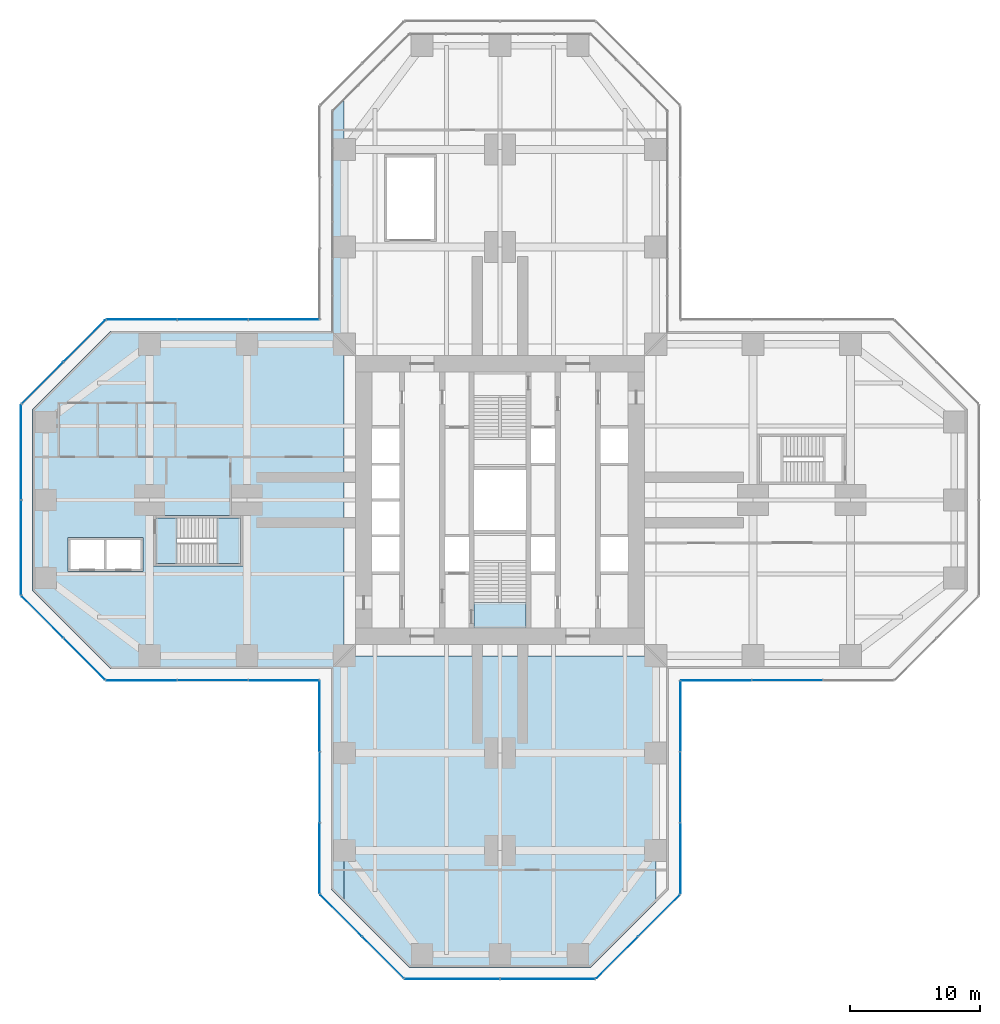
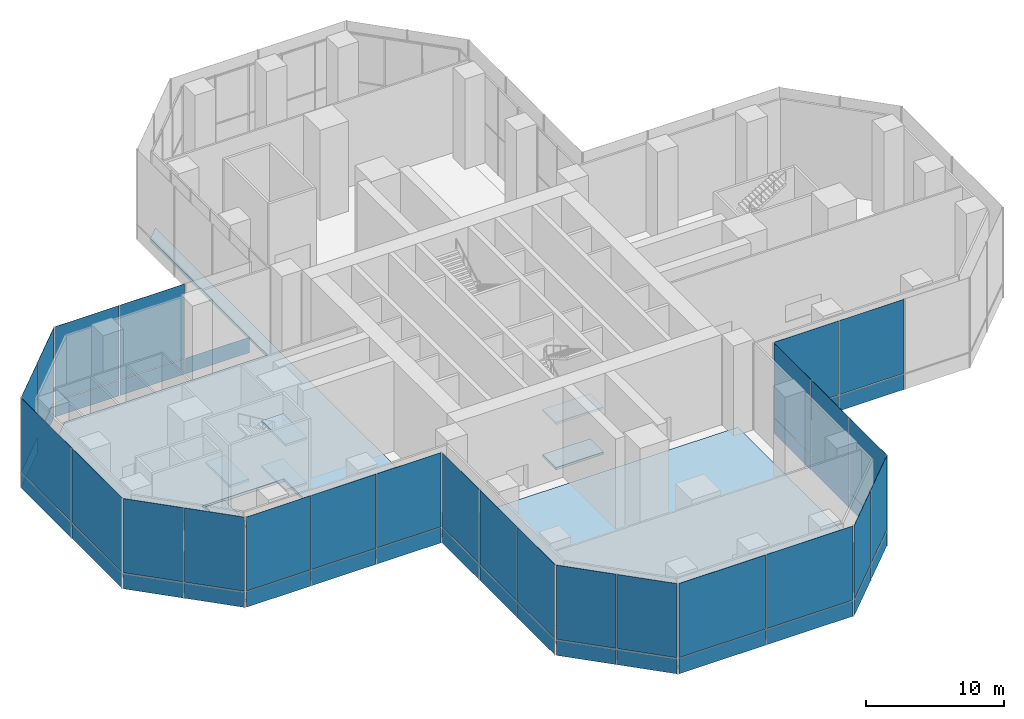
# One storey, part 14 of 25: 51 plates, 8 slabs, 13 elements without a shape of their own.
"""IFC4 building model written with IfcOpenShell, lengths in metres."""

import ifcopenshell
import ifcopenshell.guid

model = None  # the IFC model being written
_history = None  # IfcOwnerHistory: only IFC2X3 demands one
_inside = {}  # id of a spatial element -> (the spatial element, [elements in it])
_under = {}  # id of a project, library or spatial element -> (it, [spatial elements below it])
_declared = {}  # id of a project -> (the project, [libraries it declares])
_typed = {}  # id of a type object -> (the type object, [elements of that type])
_made_of = {}  # id of a material, layer set ... -> (it, [elements and type objects made of it])


def new_model(schema):
    """Start an empty IFC model of exactly this schema.

    Asked for "IFC4X3", IfcOpenShell would pick the latest addendum, in which some entities
    have other attributes; the version numbers below select the first issue.
    IFC2X3 requires an IfcOwnerHistory on every rooted entity: one is made here for all.
    """
    global model, _history
    if schema == "IFC4X3":
        model = ifcopenshell.file(schema_version=(4, 3, 0, 0))
    else:
        model = ifcopenshell.file(schema=schema)
    _inside.clear()
    _under.clear()
    _declared.clear()
    _typed.clear()
    _made_of.clear()
    _history = None
    if model.schema == "IFC2X3":
        org = make("IfcOrganization", Name="unknown")
        user = make(
            "IfcPersonAndOrganization",
            ThePerson=make("IfcPerson", FamilyName="unknown"),
            TheOrganization=org,
        )
        app = make(
            "IfcApplication",
            ApplicationDeveloper=org,
            Version="unknown",
            ApplicationFullName="unknown",
            ApplicationIdentifier="unknown",
        )
        _history = make(
            "IfcOwnerHistory",
            OwningUser=user,
            OwningApplication=app,
            ChangeAction="ADDED",
            CreationDate=0,
        )
    return model


def make(cls, **values):
    """One entity of the class cls with the attributes given. An attribute that is None is left unset."""
    return model.create_entity(
        cls, **{name: value for name, value in values.items() if value is not None}
    )


def rooted(cls, **values):
    """An entity with a GlobalId (a new one), such as an element, a storey or a relation."""
    return make(cls, GlobalId=ifcopenshell.guid.new(), OwnerHistory=_history, **values)


def si_unit(unit_type, name, prefix=None):
    """IfcSIUnit, for example si_unit("LENGTHUNIT", "METRE", prefix="MILLI")."""
    return make("IfcSIUnit", UnitType=unit_type, Prefix=prefix, Name=name)


def assignment(units):
    """IfcUnitAssignment: the units of a project."""
    return None if units is None else make("IfcUnitAssignment", Units=units)


def point(xyz):
    """IfcCartesianPoint."""
    return None if xyz is None else make("IfcCartesianPoint", Coordinates=xyz)


def direction(xyz):
    """IfcDirection."""
    return None if xyz is None else make("IfcDirection", DirectionRatios=xyz)


def frame(location, z_axis=None, x_axis=None):
    """IfcAxis2Placement3D, a coordinate frame: its origin and axes. An axis left out is left unset."""
    return make(
        "IfcAxis2Placement3D",
        Location=point(location),
        Axis=direction(z_axis),
        RefDirection=direction(x_axis),
    )


def frame_2d(location, x_axis=None):
    """IfcAxis2Placement2D, a coordinate frame in the plane: its origin and x axis."""
    return make(
        "IfcAxis2Placement2D", Location=point(location), RefDirection=direction(x_axis)
    )


def origin():
    """The frame at (0, 0, 0) with its axes left unset."""
    return frame((0.0, 0.0, 0.0))


def origin_2d():
    """The frame at (0, 0) in the plane with its x axis left unset."""
    return frame_2d((0.0, 0.0))


def place(relative_to, where):
    """IfcLocalPlacement: puts the frame where relative to a parent placement (None: the world)."""
    return make(
        "IfcLocalPlacement", PlacementRelTo=relative_to, RelativePlacement=where
    )


def context(
    kind, dimensions, precision=None, world=None, true_north=None, identifier=None
):
    """IfcGeometricRepresentationContext, for example the 3D "Model" context."""
    return make(
        "IfcGeometricRepresentationContext",
        ContextIdentifier=identifier,
        ContextType=kind,
        CoordinateSpaceDimension=dimensions,
        Precision=precision,
        WorldCoordinateSystem=world,
        TrueNorth=true_north,
    )


def subcontext(parent, identifier, kind, view, scale=None):
    """IfcGeometricRepresentationSubContext, for example "Body" below "Model"."""
    return make(
        "IfcGeometricRepresentationSubContext",
        ContextIdentifier=identifier,
        ContextType=kind,
        ParentContext=parent,
        TargetScale=scale,
        TargetView=view,
    )


def project(units=None, contexts=None):
    """IfcProject with its units and contexts."""
    return rooted(
        "IfcProject",
        Name="project",
        RepresentationContexts=contexts,
        UnitsInContext=assignment(units),
    )


def spatial(cls, under=None, at=None, **own):
    """A site, building, storey or space (cls), placed at a placement, below another one or the project."""
    s = rooted(cls, ObjectPlacement=at, **own)
    if under is not None:
        _under.setdefault(under.id(), (under, []))[1].append(s)
    return s


def polyline(points):
    """IfcPolyline through the points."""
    return make("IfcPolyline", Points=[point(p) for p in points])


def profile(cls, at=None, kind="AREA", **sizes):
    """A parametric profile (cls). Its sizes go by their IFC names, for example OverallWidth=200.0."""
    return make(cls, ProfileType=kind, Position=at, **sizes)


def rectangle(**sizes):
    """IfcRectangleProfileDef."""
    return profile("IfcRectangleProfileDef", **sizes)


def outline(outer, holes=None, kind="AREA"):
    """IfcArbitraryClosedProfileDef: a profile drawn as a closed curve; with holes, ...WithVoids."""
    if holes is None:
        return make("IfcArbitraryClosedProfileDef", ProfileType=kind, OuterCurve=outer)
    return make(
        "IfcArbitraryProfileDefWithVoids",
        ProfileType=kind,
        OuterCurve=outer,
        InnerCurves=holes,
    )


def extrude(swept, where, along, depth):
    """IfcExtrudedAreaSolid: the profile swept, set in the frame where, extruded along a direction by depth."""
    return make(
        "IfcExtrudedAreaSolid",
        SweptArea=swept,
        Position=where,
        ExtrudedDirection=direction(along),
        Depth=depth,
    )


def shape(context_of_items, identifier, shape_type, items):
    """IfcShapeRepresentation: the items that make up one representation, for example the "Body"."""
    return make(
        "IfcShapeRepresentation",
        ContextOfItems=context_of_items,
        RepresentationIdentifier=identifier,
        RepresentationType=shape_type,
        Items=items,
    )


def material(Name=None, Category=None):
    """IfcMaterial."""
    return make("IfcMaterial", Name=Name, Category=Category)


def layer(
    of_material, thickness, ventilated=None, Name=None, Category=None, Priority=None
):
    """IfcMaterialLayer: one layer of a wall or slab, of a material (None: an air gap)."""
    return make(
        "IfcMaterialLayer",
        Material=of_material,
        LayerThickness=thickness,
        IsVentilated=ventilated,
        Name=Name,
        Category=Category,
        Priority=Priority,
    )


def layer_set(layers, Name=None):
    """IfcMaterialLayerSet."""
    return make("IfcMaterialLayerSet", MaterialLayers=layers, LayerSetName=Name)


def made_of(thing, what):
    """Note that an element or type object is made of a material, layer set ...; save() writes the relation."""
    if what is not None:
        _made_of.setdefault(what.id(), (what, []))[1].append(thing)
    return thing


def type_object(cls, material=None, **own):
    """A type object (cls), such as IfcWallType, which elements share."""
    return made_of(rooted(cls, **own), material)


def element(
    cls,
    number,
    at=None,
    inside=None,
    cuts=None,
    type_object=None,
    material=None,
    context=None,
    identifier="Body",
    shape_type=None,
    held_by="IfcProductDefinitionShape",
    body=None,
    shapes=None,
    **own,
):
    """One element of the class cls, such as IfcWall. Its Tag is "e" and its number.

    at: its placement. inside: the storey or other place that contains it. cuts: it is an
    opening in that element (IfcRelVoidsElement). A single representation is given by context,
    identifier, shape_type and body (its items); several are given by shapes. held_by: the class
    of the entity that holds the representations. save() writes the other relations.
    """
    e = rooted(cls, Tag="e%d" % number, ObjectPlacement=at, **own)
    if body is not None:
        shapes = [shape(context, identifier, shape_type, body)]
    if shapes is not None:
        e.Representation = make(held_by, Representations=shapes)
    if inside is not None:
        _inside.setdefault(inside.id(), (inside, []))[1].append(e)
    if cuts is not None:
        rooted(
            "IfcRelVoidsElement", RelatingBuildingElement=cuts, RelatedOpeningElement=e
        )
    if type_object is not None:
        _typed.setdefault(type_object.id(), (type_object, []))[1].append(e)
    return made_of(e, material)


def aggregate(whole, parts):
    """IfcRelAggregates: a whole, such as a stair, and the parts it consists of."""
    return rooted("IfcRelAggregates", RelatingObject=whole, RelatedObjects=parts)


def save(model, path):
    """Write the relations noted so far, then the file.

    IfcRelAggregates (storeys below a building ...), IfcRelContainedInSpatialStructure (elements
    in a storey), IfcRelDefinesByType, IfcRelAssociatesMaterial and IfcRelDeclares: one each for
    every whole, place, type object, material and project.
    """
    for whole, parts in _under.values():
        aggregate(whole, parts)
    for where, things in _inside.values():
        rooted(
            "IfcRelContainedInSpatialStructure",
            RelatedElements=things,
            RelatingStructure=where,
        )
    for kind, things in _typed.values():
        rooted("IfcRelDefinesByType", RelatedObjects=things, RelatingType=kind)
    for what, things in _made_of.values():
        rooted("IfcRelAssociatesMaterial", RelatedObjects=things, RelatingMaterial=what)
    for by, libraries in _declared.values():
        rooted("IfcRelDeclares", RelatingContext=by, RelatedDefinitions=libraries)
    model.write(path)


model = new_model("IFC4")

# Units and contexts
model_context = context("Model", 3, precision=1e-05, world=origin(), true_north=direction((0.0, 1.0)))
body_context = subcontext(model_context, "Body", "Model", "MODEL_VIEW")
ifc_project = project(units=[si_unit("LENGTHUNIT", "METRE"), si_unit("AREAUNIT", "SQUARE_METRE"), si_unit("VOLUMEUNIT", "CUBIC_METRE"), si_unit("PLANEANGLEUNIT", "RADIAN"), si_unit("MASSUNIT", "GRAM", prefix="KILO")], contexts=[model_context])

# Site, building, storey
site_placement = place(None, origin())
site = spatial("IfcSite", under=ifc_project, at=site_placement, CompositionType="ELEMENT")
building_placement = place(site_placement, origin())
building = spatial("IfcBuilding", under=site, at=building_placement, Name="Mizan Broadcast Tower", CompositionType="ELEMENT")
storey_placement = place(building_placement, frame((0.0, 0.0, 15.0)))
storey = spatial("IfcBuildingStorey", under=building, at=storey_placement, Name="L02", CompositionType="ELEMENT", Elevation=15.0)

# Curtain wall, plates
ifc_material_1 = material(Name="Aluminium framed glazing", Category="aluminium")
curtain_wall_type = type_object("IfcCurtainWallType", Name="OUTER SKIN", PredefinedType="USERDEFINED", material=ifc_material_1)
curtain_wall_1_placement = place(storey_placement, origin())
curtain_wall_1 = element("IfcCurtainWall", 1, at=curtain_wall_1_placement, inside=storey, type_object=curtain_wall_type, Name="Outer skin L02 E side", ObjectType="OUTER SKIN", PredefinedType="USERDEFINED")
ifc_material_2 = material(Name="Laminated clear glass", Category="glass")
ifc_layer_1 = layer(ifc_material_2, 0.02001953125)
ifc_layer_set_1 = layer_set([ifc_layer_1], Name="Laminated clear glass")
plate_type_1 = type_object("IfcPlateType", Name="OUTER SKIN CLEAR GLASS", PredefinedType="CURTAIN_PANEL", material=ifc_layer_set_1)
plate_1_placement = place(storey_placement, frame((16.66552734375, -13.89990234375, 0.0), z_axis=(0.0, 0.0, 1.0), x_axis=(1.0, 0.0, 0.0)))
plate_1 = element("IfcPlate", 2, at=plate_1_placement, type_object=plate_type_1, Name="Outer skin L02 E side panel 1.1", PredefinedType="CURTAIN_PANEL", context=body_context, shape_type="SweptSolid", body=[
    extrude(rectangle(XDim=5.370849609375, YDim=0.02001953125, at=origin_2d()), origin(), (0.0, 0.0, 1.0), 1.3701171875),
])
plate_2_placement = place(storey_placement, frame((16.66552734375, -13.89990234375, 1.43017578125), z_axis=(0.0, 0.0, 1.0), x_axis=(1.0, 0.0, 0.0)))
plate_2 = element("IfcPlate", 3, at=plate_2_placement, type_object=plate_type_1, Name="Outer skin L02 E side panel 1.2", PredefinedType="CURTAIN_PANEL", context=body_context, shape_type="SweptSolid", body=[
    extrude(rectangle(XDim=5.370849609375, YDim=0.02001953125, at=origin_2d()), origin(), (0.0, 0.0, 1.0), 6.570068359375),
])

curtain_wall_2_placement = place(storey_placement, origin())
curtain_wall_2 = element("IfcCurtainWall", 4, at=curtain_wall_2_placement, inside=storey, type_object=curtain_wall_type, Name="Outer skin L02 W side", ObjectType="OUTER SKIN", PredefinedType="USERDEFINED")
plate_3_placement = place(storey_placement, frame((-16.66552734375, 13.89990234375, 0.0), z_axis=(0.0, 0.0, 1.0), x_axis=(-1.0, 0.0, 0.0)))
plate_3 = element("IfcPlate", 5, at=plate_3_placement, type_object=plate_type_1, Name="Outer skin L02 W side panel 1.1", PredefinedType="CURTAIN_PANEL", context=body_context, shape_type="SweptSolid", body=[
    extrude(rectangle(XDim=5.370849609375, YDim=0.02001953125, at=origin_2d()), origin(), (0.0, 0.0, 1.0), 1.3701171875),
])
plate_4_placement = place(storey_placement, frame((-22.136474609375, 13.89990234375, 0.0), z_axis=(0.0, 0.0, 1.0), x_axis=(-1.0, 0.0, 0.0)))
plate_4 = element("IfcPlate", 6, at=plate_4_placement, type_object=plate_type_1, Name="Outer skin L02 W side panel 2.1", PredefinedType="CURTAIN_PANEL", context=body_context, shape_type="SweptSolid", body=[
    extrude(rectangle(XDim=5.410888671875, YDim=0.02001953125, at=origin_2d()), origin(), (0.0, 0.0, 1.0), 1.3701171875),
])
plate_5_placement = place(storey_placement, frame((-22.136474609375, 13.89990234375, 1.43017578125), z_axis=(0.0, 0.0, 1.0), x_axis=(-1.0, 0.0, 0.0)))
plate_5 = element("IfcPlate", 7, at=plate_5_placement, type_object=plate_type_1, Name="Outer skin L02 W side panel 2.2", PredefinedType="CURTAIN_PANEL", context=body_context, shape_type="SweptSolid", body=[
    extrude(rectangle(XDim=5.410888671875, YDim=0.02001953125, at=origin_2d()), origin(), (0.0, 0.0, 1.0), 6.570068359375),
])
plate_6_placement = place(storey_placement, frame((-27.607421875, 13.89990234375, 0.0), z_axis=(0.0, 0.0, 1.0), x_axis=(-1.0, 0.0, 0.0)))
plate_6 = element("IfcPlate", 8, at=plate_6_placement, type_object=plate_type_1, Name="Outer skin L02 W side panel 3.1", PredefinedType="CURTAIN_PANEL", context=body_context, shape_type="SweptSolid", body=[
    extrude(rectangle(XDim=5.370849609375, YDim=0.02001953125, at=origin_2d()), origin(), (0.0, 0.0, 1.0), 1.3701171875),
])
plate_7_placement = place(storey_placement, frame((-27.607421875, 13.89990234375, 1.43017578125), z_axis=(0.0, 0.0, 1.0), x_axis=(-1.0, 0.0, 0.0)))
plate_7 = element("IfcPlate", 9, at=plate_7_placement, type_object=plate_type_1, Name="Outer skin L02 W side panel 3.2", PredefinedType="CURTAIN_PANEL", context=body_context, shape_type="SweptSolid", body=[
    extrude(rectangle(XDim=5.370849609375, YDim=0.02001953125, at=origin_2d()), origin(), (0.0, 0.0, 1.0), 6.570068359375),
])
aggregate(curtain_wall_2, [plate_3, plate_4, plate_5, plate_6, plate_7])

curtain_wall_3_placement = place(storey_placement, origin())
curtain_wall_3 = element("IfcCurtainWall", 10, at=curtain_wall_3_placement, inside=storey, type_object=curtain_wall_type, Name="Outer skin L02 W chamfer", ObjectType="OUTER SKIN", PredefinedType="USERDEFINED")
plate_8_placement = place(storey_placement, frame((-32.018798828125, 12.254150390625, 0.0), z_axis=(0.0, 0.0, 1.0), x_axis=(-0.707106781187, -0.707106781187, 0.0)))
plate_8 = element("IfcPlate", 11, at=plate_8_placement, type_object=plate_type_1, Name="Outer skin L02 W chamfer panel 1.1", PredefinedType="CURTAIN_PANEL", context=body_context, shape_type="SweptSolid", body=[
    extrude(rectangle(XDim=4.495361328125, YDim=0.02001953125, at=origin_2d()), origin(), (0.0, 0.0, 1.0), 1.3701171875),
])
plate_9_placement = place(storey_placement, frame((-32.018798828125, 12.254150390625, 1.43017578125), z_axis=(0.0, 0.0, 1.0), x_axis=(-0.707106781187, -0.707106781187, 0.0)))
plate_9 = element("IfcPlate", 12, at=plate_9_placement, type_object=plate_type_1, Name="Outer skin L02 W chamfer panel 1.2", PredefinedType="CURTAIN_PANEL", context=body_context, shape_type="SweptSolid", body=[
    extrude(rectangle(XDim=4.495361328125, YDim=0.02001953125, at=origin_2d()), origin(), (0.0, 0.0, 1.0), 6.570068359375),
])

curtain_wall_4_placement = place(storey_placement, origin())
curtain_wall_4 = element("IfcCurtainWall", 13, at=curtain_wall_4_placement, inside=storey, type_object=curtain_wall_type, Name="Outer skin L02 W end", ObjectType="OUTER SKIN", PredefinedType="USERDEFINED")
plate_10_placement = place(storey_placement, frame((-36.89990234375, 3.66650390625, 0.0), z_axis=(0.0, 0.0, 1.0), x_axis=(0.0, -1.0, 0.0)))
plate_10 = element("IfcPlate", 14, at=plate_10_placement, type_object=plate_type_1, Name="Outer skin L02 W end panel 1.1", PredefinedType="CURTAIN_PANEL", context=body_context, shape_type="SweptSolid", body=[
    extrude(rectangle(XDim=7.252685546875, YDim=0.02001953125, at=origin_2d()), origin(), (0.0, 0.0, 1.0), 1.3701171875),
])
plate_11_placement = place(storey_placement, frame((-36.89990234375, 3.66650390625, 1.43017578125), z_axis=(0.0, 0.0, 1.0), x_axis=(0.0, -1.0, 0.0)))
plate_11 = element("IfcPlate", 15, at=plate_11_placement, type_object=plate_type_1, Name="Outer skin L02 W end panel 1.2", PredefinedType="CURTAIN_PANEL", context=body_context, shape_type="SweptSolid", body=[
    extrude(rectangle(XDim=7.252685546875, YDim=0.02001953125, at=origin_2d()), origin(), (0.0, 0.0, 1.0), 6.570068359375),
])

curtain_wall_5_placement = place(storey_placement, origin())
curtain_wall_5 = element("IfcCurtainWall", 16, at=curtain_wall_5_placement, inside=storey, type_object=curtain_wall_type, Name="Outer skin L02 W chamfer", ObjectType="OUTER SKIN", PredefinedType="USERDEFINED")
plate_12_placement = place(storey_placement, frame((-35.254150390625, -9.018798828125, 0.0), z_axis=(0.0, 0.0, 1.0), x_axis=(0.707106781187, -0.707106781187, 0.0)))
plate_12 = element("IfcPlate", 17, at=plate_12_placement, type_object=plate_type_1, Name="Outer skin L02 W chamfer panel 1.1", PredefinedType="CURTAIN_PANEL", context=body_context, shape_type="SweptSolid", body=[
    extrude(rectangle(XDim=4.495361328125, YDim=0.02001953125, at=origin_2d()), origin(), (0.0, 0.0, 1.0), 1.3701171875),
])
plate_13_placement = place(storey_placement, frame((-35.254150390625, -9.018798828125, 1.43017578125), z_axis=(0.0, 0.0, 1.0), x_axis=(0.707106781187, -0.707106781187, 0.0)))
plate_13 = element("IfcPlate", 18, at=plate_13_placement, type_object=plate_type_1, Name="Outer skin L02 W chamfer panel 1.2", PredefinedType="CURTAIN_PANEL", context=body_context, shape_type="SweptSolid", body=[
    extrude(rectangle(XDim=4.495361328125, YDim=0.02001953125, at=origin_2d()), origin(), (0.0, 0.0, 1.0), 6.570068359375),
])

curtain_wall_6_placement = place(storey_placement, origin())
curtain_wall_6 = element("IfcCurtainWall", 19, at=curtain_wall_6_placement, inside=storey, type_object=curtain_wall_type, Name="Outer skin L02 W side", ObjectType="OUTER SKIN", PredefinedType="USERDEFINED")
plate_14_placement = place(storey_placement, frame((-27.607421875, -13.89990234375, 0.0), z_axis=(0.0, 0.0, 1.0), x_axis=(1.0, 0.0, 0.0)))
plate_14 = element("IfcPlate", 20, at=plate_14_placement, type_object=plate_type_1, Name="Outer skin L02 W side panel 1.1", PredefinedType="CURTAIN_PANEL", context=body_context, shape_type="SweptSolid", body=[
    extrude(rectangle(XDim=5.370849609375, YDim=0.02001953125, at=origin_2d()), origin(), (0.0, 0.0, 1.0), 1.3701171875),
])
plate_15_placement = place(storey_placement, frame((-27.607421875, -13.89990234375, 1.43017578125), z_axis=(0.0, 0.0, 1.0), x_axis=(1.0, 0.0, 0.0)))
plate_15 = element("IfcPlate", 21, at=plate_15_placement, type_object=plate_type_1, Name="Outer skin L02 W side panel 1.2", PredefinedType="CURTAIN_PANEL", context=body_context, shape_type="SweptSolid", body=[
    extrude(rectangle(XDim=5.370849609375, YDim=0.02001953125, at=origin_2d()), origin(), (0.0, 0.0, 1.0), 6.570068359375),
])
plate_16_placement = place(storey_placement, frame((-16.66552734375, -13.89990234375, 0.0), z_axis=(0.0, 0.0, 1.0), x_axis=(1.0, 0.0, 0.0)))
plate_16 = element("IfcPlate", 22, at=plate_16_placement, type_object=plate_type_1, Name="Outer skin L02 W side panel 3.1", PredefinedType="CURTAIN_PANEL", context=body_context, shape_type="SweptSolid", body=[
    extrude(rectangle(XDim=5.370849609375, YDim=0.02001953125, at=origin_2d()), origin(), (0.0, 0.0, 1.0), 1.3701171875),
])
plate_17_placement = place(storey_placement, frame((-16.66552734375, -13.89990234375, 1.43017578125), z_axis=(0.0, 0.0, 1.0), x_axis=(1.0, 0.0, 0.0)))
plate_17 = element("IfcPlate", 23, at=plate_17_placement, type_object=plate_type_1, Name="Outer skin L02 W side panel 3.2", PredefinedType="CURTAIN_PANEL", context=body_context, shape_type="SweptSolid", body=[
    extrude(rectangle(XDim=5.370849609375, YDim=0.02001953125, at=origin_2d()), origin(), (0.0, 0.0, 1.0), 6.570068359375),
])

curtain_wall_7_placement = place(storey_placement, origin())
curtain_wall_7 = element("IfcCurtainWall", 24, at=curtain_wall_7_placement, inside=storey, type_object=curtain_wall_type, Name="Outer skin L02 S side", ObjectType="OUTER SKIN", PredefinedType="USERDEFINED")
plate_18_placement = place(storey_placement, frame((-13.89990234375, -16.66552734375, 0.0), z_axis=(0.0, 0.0, 1.0), x_axis=(0.0, -1.0, 0.0)))
plate_18 = element("IfcPlate", 25, at=plate_18_placement, type_object=plate_type_1, Name="Outer skin L02 S side panel 1.1", PredefinedType="CURTAIN_PANEL", context=body_context, shape_type="SweptSolid", body=[
    extrude(rectangle(XDim=5.370849609375, YDim=0.02001953125, at=origin_2d()), origin(), (0.0, 0.0, 1.0), 1.3701171875),
])
plate_19_placement = place(storey_placement, frame((-13.89990234375, -16.66552734375, 1.43017578125), z_axis=(0.0, 0.0, 1.0), x_axis=(0.0, -1.0, 0.0)))
plate_19 = element("IfcPlate", 26, at=plate_19_placement, type_object=plate_type_1, Name="Outer skin L02 S side panel 1.2", PredefinedType="CURTAIN_PANEL", context=body_context, shape_type="SweptSolid", body=[
    extrude(rectangle(XDim=5.370849609375, YDim=0.02001953125, at=origin_2d()), origin(), (0.0, 0.0, 1.0), 6.570068359375),
])
plate_20_placement = place(storey_placement, frame((-13.89990234375, -27.607421875, 0.0), z_axis=(0.0, 0.0, 1.0), x_axis=(0.0, -1.0, 0.0)))
plate_20 = element("IfcPlate", 27, at=plate_20_placement, type_object=plate_type_1, Name="Outer skin L02 S side panel 3.1", PredefinedType="CURTAIN_PANEL", context=body_context, shape_type="SweptSolid", body=[
    extrude(rectangle(XDim=5.370849609375, YDim=0.02001953125, at=origin_2d()), origin(), (0.0, 0.0, 1.0), 1.3701171875),
])
plate_21_placement = place(storey_placement, frame((-13.89990234375, -27.607421875, 1.43017578125), z_axis=(0.0, 0.0, 1.0), x_axis=(0.0, -1.0, 0.0)))
plate_21 = element("IfcPlate", 28, at=plate_21_placement, type_object=plate_type_1, Name="Outer skin L02 S side panel 3.2", PredefinedType="CURTAIN_PANEL", context=body_context, shape_type="SweptSolid", body=[
    extrude(rectangle(XDim=5.370849609375, YDim=0.02001953125, at=origin_2d()), origin(), (0.0, 0.0, 1.0), 6.570068359375),
])

curtain_wall_8_placement = place(storey_placement, origin())
curtain_wall_8 = element("IfcCurtainWall", 29, at=curtain_wall_8_placement, inside=storey, type_object=curtain_wall_type, Name="Outer skin L02 S chamfer", ObjectType="OUTER SKIN", PredefinedType="USERDEFINED")
plate_22_placement = place(storey_placement, frame((-12.254150390625, -32.018798828125, 0.0), z_axis=(0.0, 0.0, 1.0), x_axis=(0.707106781187, -0.707106781187, 0.0)))
plate_22 = element("IfcPlate", 30, at=plate_22_placement, type_object=plate_type_1, Name="Outer skin L02 S chamfer panel 1.1", PredefinedType="CURTAIN_PANEL", context=body_context, shape_type="SweptSolid", body=[
    extrude(rectangle(XDim=4.495361328125, YDim=0.02001953125, at=origin_2d()), origin(), (0.0, 0.0, 1.0), 1.3701171875),
])
plate_23_placement = place(storey_placement, frame((-12.254150390625, -32.018798828125, 1.43017578125), z_axis=(0.0, 0.0, 1.0), x_axis=(0.707106781187, -0.707106781187, 0.0)))
plate_23 = element("IfcPlate", 31, at=plate_23_placement, type_object=plate_type_1, Name="Outer skin L02 S chamfer panel 1.2", PredefinedType="CURTAIN_PANEL", context=body_context, shape_type="SweptSolid", body=[
    extrude(rectangle(XDim=4.495361328125, YDim=0.02001953125, at=origin_2d()), origin(), (0.0, 0.0, 1.0), 6.570068359375),
])

curtain_wall_9_placement = place(storey_placement, origin())
curtain_wall_9 = element("IfcCurtainWall", 32, at=curtain_wall_9_placement, inside=storey, type_object=curtain_wall_type, Name="Outer skin L02 S end", ObjectType="OUTER SKIN", PredefinedType="USERDEFINED")
plate_24_placement = place(storey_placement, frame((-3.66650390625, -36.89990234375, 0.0), z_axis=(0.0, 0.0, 1.0), x_axis=(1.0, 0.0, 0.0)))
plate_24 = element("IfcPlate", 33, at=plate_24_placement, type_object=plate_type_1, Name="Outer skin L02 S end panel 1.1", PredefinedType="CURTAIN_PANEL", context=body_context, shape_type="SweptSolid", body=[
    extrude(rectangle(XDim=7.252685546875, YDim=0.02001953125, at=origin_2d()), origin(), (0.0, 0.0, 1.0), 1.3701171875),
])
plate_25_placement = place(storey_placement, frame((-3.66650390625, -36.89990234375, 1.43017578125), z_axis=(0.0, 0.0, 1.0), x_axis=(1.0, 0.0, 0.0)))
plate_25 = element("IfcPlate", 34, at=plate_25_placement, type_object=plate_type_1, Name="Outer skin L02 S end panel 1.2", PredefinedType="CURTAIN_PANEL", context=body_context, shape_type="SweptSolid", body=[
    extrude(rectangle(XDim=7.252685546875, YDim=0.02001953125, at=origin_2d()), origin(), (0.0, 0.0, 1.0), 6.570068359375),
])

curtain_wall_10_placement = place(storey_placement, origin())
curtain_wall_10 = element("IfcCurtainWall", 35, at=curtain_wall_10_placement, inside=storey, type_object=curtain_wall_type, Name="Outer skin L02 S chamfer", ObjectType="OUTER SKIN", PredefinedType="USERDEFINED")
plate_26_placement = place(storey_placement, frame((9.018798828125, -35.254150390625, 0.0), z_axis=(0.0, 0.0, 1.0), x_axis=(0.707106781187, 0.707106781187, 0.0)))
plate_26 = element("IfcPlate", 36, at=plate_26_placement, type_object=plate_type_1, Name="Outer skin L02 S chamfer panel 1.1", PredefinedType="CURTAIN_PANEL", context=body_context, shape_type="SweptSolid", body=[
    extrude(rectangle(XDim=4.495361328125, YDim=0.02001953125, at=origin_2d()), origin(), (0.0, 0.0, 1.0), 1.3701171875),
])
plate_27_placement = place(storey_placement, frame((9.018798828125, -35.254150390625, 1.43017578125), z_axis=(0.0, 0.0, 1.0), x_axis=(0.707106781187, 0.707106781187, 0.0)))
plate_27 = element("IfcPlate", 37, at=plate_27_placement, type_object=plate_type_1, Name="Outer skin L02 S chamfer panel 1.2", PredefinedType="CURTAIN_PANEL", context=body_context, shape_type="SweptSolid", body=[
    extrude(rectangle(XDim=4.495361328125, YDim=0.02001953125, at=origin_2d()), origin(), (0.0, 0.0, 1.0), 6.570068359375),
])

curtain_wall_11_placement = place(storey_placement, origin())
curtain_wall_11 = element("IfcCurtainWall", 38, at=curtain_wall_11_placement, inside=storey, type_object=curtain_wall_type, Name="Outer skin L02 S side", ObjectType="OUTER SKIN", PredefinedType="USERDEFINED")
plate_28_placement = place(storey_placement, frame((13.89990234375, -27.607421875, 0.0), z_axis=(0.0, 0.0, 1.0), x_axis=(0.0, 1.0, 0.0)))
plate_28 = element("IfcPlate", 39, at=plate_28_placement, type_object=plate_type_1, Name="Outer skin L02 S side panel 1.1", PredefinedType="CURTAIN_PANEL", context=body_context, shape_type="SweptSolid", body=[
    extrude(rectangle(XDim=5.370849609375, YDim=0.02001953125, at=origin_2d()), origin(), (0.0, 0.0, 1.0), 1.3701171875),
])
plate_29_placement = place(storey_placement, frame((13.89990234375, -27.607421875, 1.43017578125), z_axis=(0.0, 0.0, 1.0), x_axis=(0.0, 1.0, 0.0)))
plate_29 = element("IfcPlate", 40, at=plate_29_placement, type_object=plate_type_1, Name="Outer skin L02 S side panel 1.2", PredefinedType="CURTAIN_PANEL", context=body_context, shape_type="SweptSolid", body=[
    extrude(rectangle(XDim=5.370849609375, YDim=0.02001953125, at=origin_2d()), origin(), (0.0, 0.0, 1.0), 6.570068359375),
])
plate_30_placement = place(storey_placement, frame((13.89990234375, -16.66552734375, 0.0), z_axis=(0.0, 0.0, 1.0), x_axis=(0.0, 1.0, 0.0)))
plate_30 = element("IfcPlate", 41, at=plate_30_placement, type_object=plate_type_1, Name="Outer skin L02 S side panel 3.1", PredefinedType="CURTAIN_PANEL", context=body_context, shape_type="SweptSolid", body=[
    extrude(rectangle(XDim=5.370849609375, YDim=0.02001953125, at=origin_2d()), origin(), (0.0, 0.0, 1.0), 1.3701171875),
])
plate_31_placement = place(storey_placement, frame((13.89990234375, -16.66552734375, 1.43017578125), z_axis=(0.0, 0.0, 1.0), x_axis=(0.0, 1.0, 0.0)))
plate_31 = element("IfcPlate", 42, at=plate_31_placement, type_object=plate_type_1, Name="Outer skin L02 S side panel 3.2", PredefinedType="CURTAIN_PANEL", context=body_context, shape_type="SweptSolid", body=[
    extrude(rectangle(XDim=5.370849609375, YDim=0.02001953125, at=origin_2d()), origin(), (0.0, 0.0, 1.0), 6.570068359375),
])

# Plate
ifc_material_3 = material(Name="Perforated aluminium, pale anodised", Category="aluminium")
ifc_layer_2 = layer(ifc_material_3, 0.011962890625)
ifc_layer_set_2 = layer_set([ifc_layer_2], Name="Perforated aluminium, pale anodised")
plate_type_2 = type_object("IfcPlateType", Name="OUTER SKIN PERFORATED SCREEN", PredefinedType="USERDEFINED", material=ifc_layer_set_2)
plate_32_placement = place(storey_placement, frame((22.136474609375, -13.89990234375, 0.0), z_axis=(0.0, 0.0, 1.0), x_axis=(1.0, 0.0, 0.0)))
plate_32 = element("IfcPlate", 43, at=plate_32_placement, type_object=plate_type_2, Name="Outer skin L02 E side panel 2.1", ObjectType="SCREEN", PredefinedType="USERDEFINED", context=body_context, shape_type="SweptSolid", body=[
    extrude(rectangle(XDim=5.410888671875, YDim=0.011962890625, at=origin_2d()), origin(), (0.0, 0.0, 1.0), 1.3701171875),
])

plate_33_placement = place(storey_placement, frame((22.136474609375, -13.89990234375, 1.43017578125), z_axis=(0.0, 0.0, 1.0), x_axis=(1.0, 0.0, 0.0)))
plate_33 = element("IfcPlate", 44, at=plate_33_placement, type_object=plate_type_2, Name="Outer skin L02 E side panel 2.2", ObjectType="SCREEN", PredefinedType="USERDEFINED", context=body_context, shape_type="SweptSolid", body=[
    extrude(rectangle(XDim=5.410888671875, YDim=0.011962890625, at=origin_2d()), origin(), (0.0, 0.0, 1.0), 6.570068359375),
])

aggregate(curtain_wall_1, [plate_1, plate_2, plate_32, plate_33])

plate_34_placement = place(storey_placement, frame((-35.254150390625, 9.018798828125, 0.0), z_axis=(0.0, 0.0, 1.0), x_axis=(-0.707106781187, -0.707106781187, 0.0)))
plate_34 = element("IfcPlate", 45, at=plate_34_placement, type_object=plate_type_2, Name="Outer skin L02 W chamfer panel 2.1", ObjectType="SCREEN", PredefinedType="USERDEFINED", context=body_context, shape_type="SweptSolid", body=[
    extrude(rectangle(XDim=4.495361328125, YDim=0.011962890625, at=origin_2d()), origin(), (0.0, 0.0, 1.0), 1.3701171875),
])

plate_35_placement = place(storey_placement, frame((-35.254150390625, 9.018798828125, 1.43017578125), z_axis=(0.0, 0.0, 1.0), x_axis=(-0.707106781187, -0.707106781187, 0.0)))
plate_35 = element("IfcPlate", 46, at=plate_35_placement, type_object=plate_type_2, Name="Outer skin L02 W chamfer panel 2.2", ObjectType="SCREEN", PredefinedType="USERDEFINED", context=body_context, shape_type="SweptSolid", body=[
    extrude(rectangle(XDim=4.495361328125, YDim=0.011962890625, at=origin_2d()), origin(), (0.0, 0.0, 1.0), 6.570068359375),
])

aggregate(curtain_wall_3, [plate_8, plate_9, plate_34, plate_35])

plate_36_placement = place(storey_placement, frame((-36.89990234375, -3.66650390625, 0.0), z_axis=(0.0, 0.0, 1.0), x_axis=(0.0, -1.0, 0.0)))
plate_36 = element("IfcPlate", 47, at=plate_36_placement, type_object=plate_type_2, Name="Outer skin L02 W end panel 2.1", ObjectType="SCREEN", PredefinedType="USERDEFINED", context=body_context, shape_type="SweptSolid", body=[
    extrude(rectangle(XDim=7.252685546875, YDim=0.011962890625, at=origin_2d()), origin(), (0.0, 0.0, 1.0), 1.3701171875),
])

plate_37_placement = place(storey_placement, frame((-36.89990234375, -3.66650390625, 1.43017578125), z_axis=(0.0, 0.0, 1.0), x_axis=(0.0, -1.0, 0.0)))
plate_37 = element("IfcPlate", 48, at=plate_37_placement, type_object=plate_type_2, Name="Outer skin L02 W end panel 2.2", ObjectType="SCREEN", PredefinedType="USERDEFINED", context=body_context, shape_type="SweptSolid", body=[
    extrude(rectangle(XDim=7.252685546875, YDim=0.011962890625, at=origin_2d()), origin(), (0.0, 0.0, 1.0), 6.570068359375),
])

aggregate(curtain_wall_4, [plate_10, plate_11, plate_36, plate_37])

plate_38_placement = place(storey_placement, frame((-32.018798828125, -12.254150390625, 0.0), z_axis=(0.0, 0.0, 1.0), x_axis=(0.707106781187, -0.707106781187, 0.0)))
plate_38 = element("IfcPlate", 49, at=plate_38_placement, type_object=plate_type_2, Name="Outer skin L02 W chamfer panel 2.1", ObjectType="SCREEN", PredefinedType="USERDEFINED", context=body_context, shape_type="SweptSolid", body=[
    extrude(rectangle(XDim=4.495361328125, YDim=0.011962890625, at=origin_2d()), origin(), (0.0, 0.0, 1.0), 1.3701171875),
])

plate_39_placement = place(storey_placement, frame((-32.018798828125, -12.254150390625, 1.43017578125), z_axis=(0.0, 0.0, 1.0), x_axis=(0.707106781187, -0.707106781187, 0.0)))
plate_39 = element("IfcPlate", 50, at=plate_39_placement, type_object=plate_type_2, Name="Outer skin L02 W chamfer panel 2.2", ObjectType="SCREEN", PredefinedType="USERDEFINED", context=body_context, shape_type="SweptSolid", body=[
    extrude(rectangle(XDim=4.495361328125, YDim=0.011962890625, at=origin_2d()), origin(), (0.0, 0.0, 1.0), 6.570068359375),
])

aggregate(curtain_wall_5, [plate_12, plate_13, plate_38, plate_39])

plate_40_placement = place(storey_placement, frame((-22.136474609375, -13.89990234375, 0.0), z_axis=(0.0, 0.0, 1.0), x_axis=(1.0, 0.0, 0.0)))
plate_40 = element("IfcPlate", 51, at=plate_40_placement, type_object=plate_type_2, Name="Outer skin L02 W side panel 2.1", ObjectType="SCREEN", PredefinedType="USERDEFINED", context=body_context, shape_type="SweptSolid", body=[
    extrude(rectangle(XDim=5.410888671875, YDim=0.011962890625, at=origin_2d()), origin(), (0.0, 0.0, 1.0), 1.3701171875),
])

plate_41_placement = place(storey_placement, frame((-22.136474609375, -13.89990234375, 1.43017578125), z_axis=(0.0, 0.0, 1.0), x_axis=(1.0, 0.0, 0.0)))
plate_41 = element("IfcPlate", 52, at=plate_41_placement, type_object=plate_type_2, Name="Outer skin L02 W side panel 2.2", ObjectType="SCREEN", PredefinedType="USERDEFINED", context=body_context, shape_type="SweptSolid", body=[
    extrude(rectangle(XDim=5.410888671875, YDim=0.011962890625, at=origin_2d()), origin(), (0.0, 0.0, 1.0), 6.570068359375),
])

aggregate(curtain_wall_6, [plate_14, plate_15, plate_40, plate_41, plate_16, plate_17])

plate_42_placement = place(storey_placement, frame((-13.89990234375, -22.136474609375, 0.0), z_axis=(0.0, 0.0, 1.0), x_axis=(0.0, -1.0, 0.0)))
plate_42 = element("IfcPlate", 53, at=plate_42_placement, type_object=plate_type_2, Name="Outer skin L02 S side panel 2.1", ObjectType="SCREEN", PredefinedType="USERDEFINED", context=body_context, shape_type="SweptSolid", body=[
    extrude(rectangle(XDim=5.410888671875, YDim=0.011962890625, at=origin_2d()), origin(), (0.0, 0.0, 1.0), 1.3701171875),
])

plate_43_placement = place(storey_placement, frame((-13.89990234375, -22.136474609375, 1.43017578125), z_axis=(0.0, 0.0, 1.0), x_axis=(0.0, -1.0, 0.0)))
plate_43 = element("IfcPlate", 54, at=plate_43_placement, type_object=plate_type_2, Name="Outer skin L02 S side panel 2.2", ObjectType="SCREEN", PredefinedType="USERDEFINED", context=body_context, shape_type="SweptSolid", body=[
    extrude(rectangle(XDim=5.410888671875, YDim=0.011962890625, at=origin_2d()), origin(), (0.0, 0.0, 1.0), 6.570068359375),
])

aggregate(curtain_wall_7, [plate_18, plate_19, plate_42, plate_43, plate_20, plate_21])

plate_44_placement = place(storey_placement, frame((-9.018798828125, -35.254150390625, 0.0), z_axis=(0.0, 0.0, 1.0), x_axis=(0.707106781187, -0.707106781187, 0.0)))
plate_44 = element("IfcPlate", 55, at=plate_44_placement, type_object=plate_type_2, Name="Outer skin L02 S chamfer panel 2.1", ObjectType="SCREEN", PredefinedType="USERDEFINED", context=body_context, shape_type="SweptSolid", body=[
    extrude(rectangle(XDim=4.495361328125, YDim=0.011962890625, at=origin_2d()), origin(), (0.0, 0.0, 1.0), 1.3701171875),
])

plate_45_placement = place(storey_placement, frame((-9.018798828125, -35.254150390625, 1.43017578125), z_axis=(0.0, 0.0, 1.0), x_axis=(0.707106781187, -0.707106781187, 0.0)))
plate_45 = element("IfcPlate", 56, at=plate_45_placement, type_object=plate_type_2, Name="Outer skin L02 S chamfer panel 2.2", ObjectType="SCREEN", PredefinedType="USERDEFINED", context=body_context, shape_type="SweptSolid", body=[
    extrude(rectangle(XDim=4.495361328125, YDim=0.011962890625, at=origin_2d()), origin(), (0.0, 0.0, 1.0), 6.570068359375),
])

aggregate(curtain_wall_8, [plate_22, plate_23, plate_44, plate_45])

plate_46_placement = place(storey_placement, frame((3.66650390625, -36.89990234375, 0.0), z_axis=(0.0, 0.0, 1.0), x_axis=(1.0, 0.0, 0.0)))
plate_46 = element("IfcPlate", 57, at=plate_46_placement, type_object=plate_type_2, Name="Outer skin L02 S end panel 2.1", ObjectType="SCREEN", PredefinedType="USERDEFINED", context=body_context, shape_type="SweptSolid", body=[
    extrude(rectangle(XDim=7.252685546875, YDim=0.011962890625, at=origin_2d()), origin(), (0.0, 0.0, 1.0), 1.3701171875),
])

plate_47_placement = place(storey_placement, frame((3.66650390625, -36.89990234375, 1.43017578125), z_axis=(0.0, 0.0, 1.0), x_axis=(1.0, 0.0, 0.0)))
plate_47 = element("IfcPlate", 58, at=plate_47_placement, type_object=plate_type_2, Name="Outer skin L02 S end panel 2.2", ObjectType="SCREEN", PredefinedType="USERDEFINED", context=body_context, shape_type="SweptSolid", body=[
    extrude(rectangle(XDim=7.252685546875, YDim=0.011962890625, at=origin_2d()), origin(), (0.0, 0.0, 1.0), 6.570068359375),
])

aggregate(curtain_wall_9, [plate_24, plate_25, plate_46, plate_47])

plate_48_placement = place(storey_placement, frame((12.254150390625, -32.018798828125, 0.0), z_axis=(0.0, 0.0, 1.0), x_axis=(0.707106781187, 0.707106781187, 0.0)))
plate_48 = element("IfcPlate", 59, at=plate_48_placement, type_object=plate_type_2, Name="Outer skin L02 S chamfer panel 2.1", ObjectType="SCREEN", PredefinedType="USERDEFINED", context=body_context, shape_type="SweptSolid", body=[
    extrude(rectangle(XDim=4.495361328125, YDim=0.011962890625, at=origin_2d()), origin(), (0.0, 0.0, 1.0), 1.3701171875),
])

plate_49_placement = place(storey_placement, frame((12.254150390625, -32.018798828125, 1.43017578125), z_axis=(0.0, 0.0, 1.0), x_axis=(0.707106781187, 0.707106781187, 0.0)))
plate_49 = element("IfcPlate", 60, at=plate_49_placement, type_object=plate_type_2, Name="Outer skin L02 S chamfer panel 2.2", ObjectType="SCREEN", PredefinedType="USERDEFINED", context=body_context, shape_type="SweptSolid", body=[
    extrude(rectangle(XDim=4.495361328125, YDim=0.011962890625, at=origin_2d()), origin(), (0.0, 0.0, 1.0), 6.570068359375),
])

aggregate(curtain_wall_10, [plate_26, plate_27, plate_48, plate_49])

plate_50_placement = place(storey_placement, frame((13.89990234375, -22.136474609375, 0.0), z_axis=(0.0, 0.0, 1.0), x_axis=(0.0, 1.0, 0.0)))
plate_50 = element("IfcPlate", 61, at=plate_50_placement, type_object=plate_type_2, Name="Outer skin L02 S side panel 2.1", ObjectType="SCREEN", PredefinedType="USERDEFINED", context=body_context, shape_type="SweptSolid", body=[
    extrude(rectangle(XDim=5.410888671875, YDim=0.011962890625, at=origin_2d()), origin(), (0.0, 0.0, 1.0), 1.3701171875),
])

plate_51_placement = place(storey_placement, frame((13.89990234375, -22.136474609375, 1.43017578125), z_axis=(0.0, 0.0, 1.0), x_axis=(0.0, 1.0, 0.0)))
plate_51 = element("IfcPlate", 62, at=plate_51_placement, type_object=plate_type_2, Name="Outer skin L02 S side panel 2.2", ObjectType="SCREEN", PredefinedType="USERDEFINED", context=body_context, shape_type="SweptSolid", body=[
    extrude(rectangle(XDim=5.410888671875, YDim=0.011962890625, at=origin_2d()), origin(), (0.0, 0.0, 1.0), 6.570068359375),
])

aggregate(curtain_wall_11, [plate_28, plate_29, plate_50, plate_51, plate_30, plate_31])

# Slabs
ifc_material_4 = material(Name="Concrete C40/50", Category="concrete")
ifc_layer_3 = layer(ifc_material_4, 0.25)
ifc_layer_set_3 = layer_set([ifc_layer_3], Name="Concrete C40/50")
slab_type_1 = type_object("IfcSlabType", Name="RC FLAT SLAB 250", PredefinedType="FLOOR", material=ifc_layer_set_3)
slab_1_placement = place(storey_placement, frame((0.0, 0.0, -0.25)))
element("IfcSlab", 63, at=slab_1_placement, inside=storey, type_object=slab_type_1, Name="Floor slab L02 west arm", PredefinedType="FLOOR", context=body_context, shape_type="SweptSolid", body=[
    extrude(outline(polyline([(-30.0, -13.0), (-13.0, -13.0), (-13.0, -30.0), (-12.0, -31.0), (-12.0, 31.0), (-13.0, 30.0), (-13.0, 13.0), (-30.0, 13.0), (-36.0, 7.0), (-36.0, -7.0), (-30.0, -13.0)]), holes=[polyline([(-19.800048828125, -1.199951171875), (-19.800048828125, -5.10009765625), (-26.699951171875, -5.10009765625), (-26.699951171875, -1.199951171875), (-19.800048828125, -1.199951171875)]), polyline([(-27.5, -5.5), (-33.300048828125, -5.5), (-33.300048828125, -2.89990234375), (-27.5, -2.89990234375), (-27.5, -5.5)])]), origin(), (0.0, 0.0, 1.0), 0.25),
])
slab_2_placement = place(storey_placement, frame((0.0, 0.0, -0.25)))
element("IfcSlab", 64, at=slab_2_placement, inside=storey, type_object=slab_type_1, Name="Floor slab L02 south arm", PredefinedType="FLOOR", context=body_context, shape_type="SweptSolid", body=[
    extrude(outline(polyline([(7.0, -36.0), (12.0, -31.0), (12.0, -12.0), (-12.0, -12.0), (-12.0, -31.0), (-7.0, -36.0), (7.0, -36.0)])), origin(), (0.0, 0.0, 1.0), 0.25),
])

# Stair, slabs
ifc_material_5 = material(Name="Concrete C40/50", Category="concrete")
stair_type = type_object("IfcStairType", Name="EXIT STAIR", PredefinedType="HALF_TURN_STAIR", material=ifc_material_5)
stair_1_placement = place(storey_placement, origin())
stair_1 = element("IfcStair", 65, at=stair_1_placement, inside=storey, type_object=stair_type, Name="Stair A L02", PredefinedType="HALF_TURN_STAIR")
ifc_material_6 = material(Name="Concrete C40/50", Category="concrete")
ifc_layer_4 = layer(ifc_material_6, 0.199951171875)
ifc_layer_set_4 = layer_set([ifc_layer_4], Name="Concrete C40/50")
slab_type_2 = type_object("IfcSlabType", Name="STAIR LANDING 200", PredefinedType="LANDING", material=ifc_layer_set_4)
slab_3_placement = place(storey_placement, frame((0.0, 0.0, -0.199951171875)))
slab_3 = element("IfcSlab", 66, at=slab_3_placement, type_object=slab_type_2, Name="A landing 1", PredefinedType="LANDING", context=body_context, shape_type="SweptSolid", body=[
    extrude(outline(polyline([(-2.0, -9.85009765625), (-2.0, -7.89990234375), (2.0, -7.89990234375), (2.0, -9.85009765625), (-2.0, -9.85009765625)])), origin(), (0.0, 0.0, 1.0), 0.199951171875),
])
slab_4_placement = place(storey_placement, frame((0.0, 0.0, 3.800048828125)))
slab_4 = element("IfcSlab", 67, at=slab_4_placement, type_object=slab_type_2, Name="A landing 3", PredefinedType="LANDING", context=body_context, shape_type="SweptSolid", body=[
    extrude(outline(polyline([(-2.0, -9.85009765625), (-2.0, -7.89990234375), (2.0, -7.89990234375), (2.0, -9.85009765625), (-2.0, -9.85009765625)])), origin(), (0.0, 0.0, 1.0), 0.199951171875),
])
aggregate(stair_1, [slab_3, slab_4])

stair_2_placement = place(storey_placement, origin())
stair_2 = element("IfcStair", 68, at=stair_2_placement, inside=storey, type_object=stair_type, Name="Stair D L02", PredefinedType="HALF_TURN_STAIR")
slab_5_placement = place(storey_placement, frame((0.0, 0.0, -0.199951171875)))
slab_5 = element("IfcSlab", 69, at=slab_5_placement, type_object=slab_type_2, Name="D landing 1", PredefinedType="LANDING", context=body_context, shape_type="SweptSolid", body=[
    extrude(outline(polyline([(-26.5, -1.39990234375), (-24.889892578125, -1.39990234375), (-24.889892578125, -4.89990234375), (-26.5, -4.89990234375), (-26.5, -1.39990234375)])), origin(), (0.0, 0.0, 1.0), 0.199951171875),
])
slab_6_placement = place(storey_placement, frame((0.0, 0.0, 1.800048828125)))
slab_6 = element("IfcSlab", 70, at=slab_6_placement, type_object=slab_type_2, Name="D landing 2", PredefinedType="LANDING", context=body_context, shape_type="SweptSolid", body=[
    extrude(outline(polyline([(-21.81005859375, -1.39990234375), (-20.0, -1.39990234375), (-20.0, -4.89990234375), (-21.81005859375, -4.89990234375), (-21.81005859375, -1.39990234375)])), origin(), (0.0, 0.0, 1.0), 0.199951171875),
])
slab_7_placement = place(storey_placement, frame((0.0, 0.0, 3.800048828125)))
slab_7 = element("IfcSlab", 71, at=slab_7_placement, type_object=slab_type_2, Name="D landing 3", PredefinedType="LANDING", context=body_context, shape_type="SweptSolid", body=[
    extrude(outline(polyline([(-26.5, -1.39990234375), (-24.889892578125, -1.39990234375), (-24.889892578125, -4.89990234375), (-26.5, -4.89990234375), (-26.5, -1.39990234375)])), origin(), (0.0, 0.0, 1.0), 0.199951171875),
])
slab_8_placement = place(storey_placement, frame((0.0, 0.0, 5.800048828125)))
slab_8 = element("IfcSlab", 72, at=slab_8_placement, type_object=slab_type_2, Name="D landing 4", PredefinedType="LANDING", context=body_context, shape_type="SweptSolid", body=[
    extrude(outline(polyline([(-21.81005859375, -1.39990234375), (-20.0, -1.39990234375), (-20.0, -4.89990234375), (-21.81005859375, -4.89990234375), (-21.81005859375, -1.39990234375)])), origin(), (0.0, 0.0, 1.0), 0.199951171875),
])
aggregate(stair_2, [slab_5, slab_6, slab_7, slab_8])

save(model, "model.ifc")
